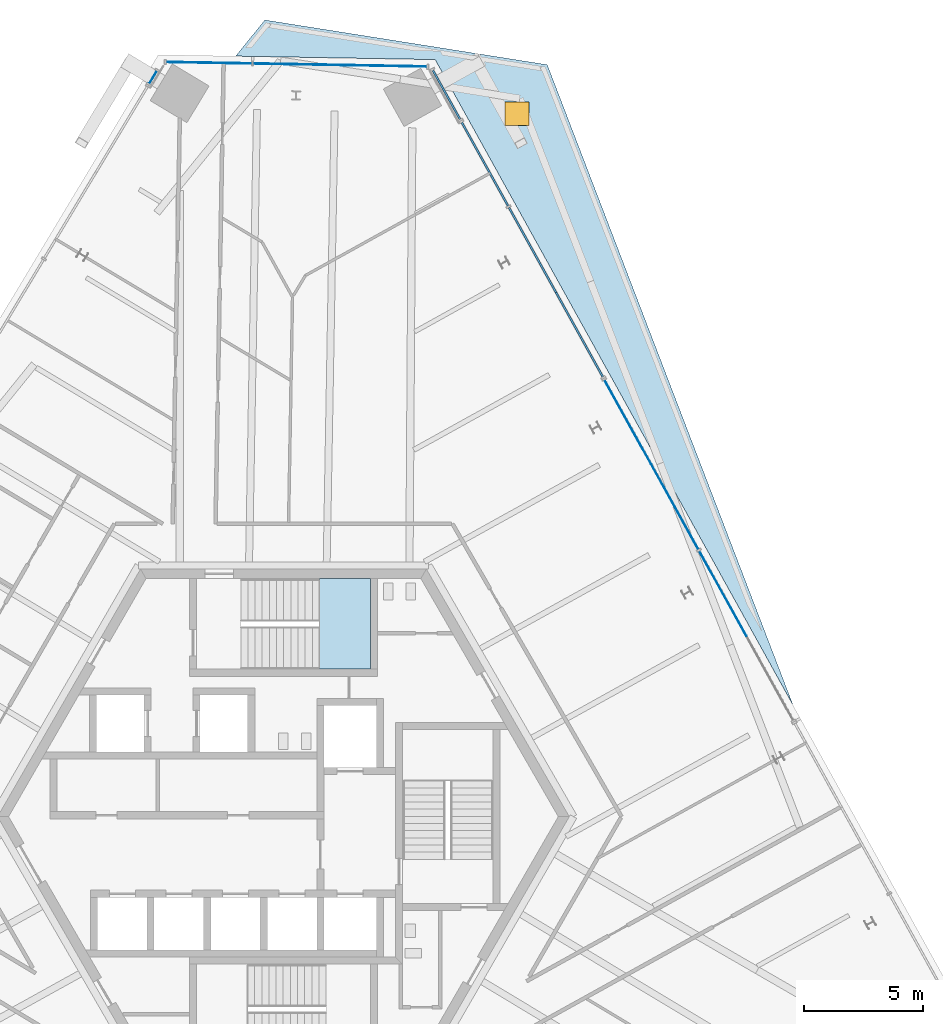
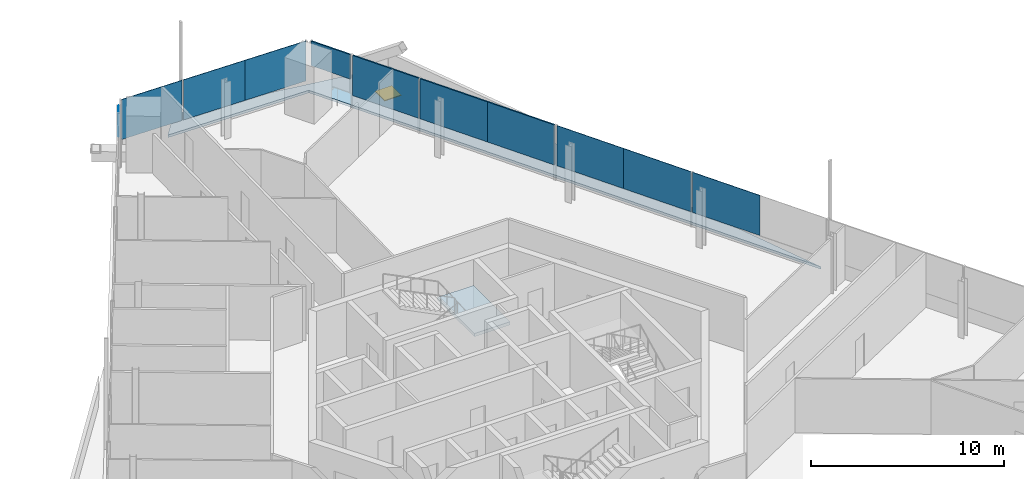
# One storey, part 13 of 22: 11 plates, 2 slabs, 1 door, 1 opening, 6 elements without a shape of their own.
"""IFC4 building model written with IfcOpenShell, lengths in metres."""

from ifc_helpers import new_model, si_unit, direction, frame, origin, origin_2d, place, context, subcontext, project, spatial, polyline, rectangle, outline, extrude, source, transform, mapped, material, layer, layer_set, type_object, element, fill, aggregate, save


model = new_model("IFC4")

# Units and contexts
model_context = context("Model", 3, precision=1e-05, world=origin(), true_north=direction((0.0, 1.0)))
body_context = subcontext(model_context, "Body", "Model", "MODEL_VIEW")
ifc_project = project(units=[si_unit("LENGTHUNIT", "METRE"), si_unit("AREAUNIT", "SQUARE_METRE"), si_unit("VOLUMEUNIT", "CUBIC_METRE"), si_unit("PLANEANGLEUNIT", "RADIAN"), si_unit("MASSUNIT", "GRAM", prefix="KILO")], contexts=[model_context])

# Site, building, storey
site_placement = place(None, origin())
site = spatial("IfcSite", under=ifc_project, at=site_placement, CompositionType="ELEMENT")
building_placement = place(site_placement, origin())
building = spatial("IfcBuilding", under=site, at=building_placement, Name="Triune Harvest Tower", CompositionType="ELEMENT")
storey_placement = place(building_placement, frame((0.0, 0.0, 179.89990234375)))
storey = spatial("IfcBuildingStorey", under=building, at=storey_placement, Name="L46", CompositionType="ELEMENT", Elevation=179.89990234375)

# Curtain wall, plate
ifc_material_1 = material(Name="Aluminium bronze anodised", Category="aluminium")
curtain_wall_type_1 = type_object("IfcCurtainWallType", Name="CW-1 Tower stick curtain wall", PredefinedType="NOTDEFINED", material=ifc_material_1)
curtain_wall_1_placement = place(storey_placement, origin())
curtain_wall_1 = element("IfcCurtainWall", 1, at=curtain_wall_1_placement, inside=storey, type_object=curtain_wall_type_1, Name="CW-1 B5-F3 L46 run 1")
ifc_material_2 = material(Name="Glass", Category="glass")
ifc_layer_1 = layer(ifc_material_2, 0.031982421875)
ifc_layer_set_1 = layer_set([ifc_layer_1], Name="Glass")
plate_type_1 = type_object("IfcPlateType", Name="GL-1 panel 32", PredefinedType="CURTAIN_PANEL", material=ifc_layer_set_1)
plate_1_placement = place(storey_placement, frame((-5.475341796875, 31.034423828125, 1.88525390625), z_axis=(0.0, 0.0, 1.0), x_axis=(-0.515011269496, -0.857183406449, 0.0)))
plate_1 = element("IfcPlate", 2, at=plate_1_placement, type_object=plate_type_1, Name="CW-1 panel B5-F3 1.1", PredefinedType="CURTAIN_PANEL", context=body_context, shape_type="SweptSolid", body=[
    extrude(rectangle(XDim=0.6201171875, YDim=0.031982421875, at=origin_2d()), origin(), (0.0, 0.0, 1.0), 1.554931640625),
])
aggregate(curtain_wall_1, [plate_1])

ifc_material_3 = material(Name="Aluminium bronze anodised", Category="aluminium")
curtain_wall_type_2 = type_object("IfcCurtainWallType", Name="CW-7 Tower stick curtain wall with insulated spandrel infill", PredefinedType="NOTDEFINED", material=ifc_material_3)
curtain_wall_2_placement = place(storey_placement, origin())
curtain_wall_2 = element("IfcCurtainWall", 3, at=curtain_wall_2_placement, inside=storey, type_object=curtain_wall_type_2, Name="CW-7 B5-F1 L46 run 2101")
ifc_material_4 = material(Name="Insulated spandrel panel, bronze aluminium pan", Category="aluminium")
ifc_layer_2 = layer(ifc_material_4, 0.080078125)
ifc_layer_set_2 = layer_set([ifc_layer_2], Name="Insulated spandrel panel, bronze aluminium pan")
plate_type_2 = type_object("IfcPlateType", Name="SP-1 insulated spandrel panel 80", PredefinedType="CURTAIN_PANEL", material=ifc_layer_set_2)
plate_2_placement = place(storey_placement, frame((8.458740234375, 27.39013671875, 0.900146484375), z_axis=(0.0, 0.0, 1.0), x_axis=(-0.484810341563, 0.874619307307, 0.0)))
plate_2 = element("IfcPlate", 4, at=plate_2_placement, type_object=plate_type_2, Name="CW-7 panel B5-F1 2101.3", PredefinedType="CURTAIN_PANEL", context=body_context, shape_type="SweptSolid", body=[
    extrude(rectangle(XDim=4.008544921875, YDim=0.080078125, at=origin_2d()), origin(), (0.0, 0.0, 1.0), 2.5400390625),
])

curtain_wall_3_placement = place(storey_placement, origin())
curtain_wall_3 = element("IfcCurtainWall", 5, at=curtain_wall_3_placement, inside=storey, type_object=curtain_wall_type_2, Name="CW-7 B5-F1 L46 run 201")
plate_3_placement = place(storey_placement, frame((6.84228515625, 30.305908203125, 1.88525390625), z_axis=(0.0, 0.0, 1.0), x_axis=(-0.484813691858, 0.874617450196, 0.0)))
plate_3 = element("IfcPlate", 6, at=plate_3_placement, type_object=plate_type_2, Name="CW-7 panel B5-F1 201.1", PredefinedType="CURTAIN_PANEL", context=body_context, shape_type="SweptSolid", body=[
    extrude(rectangle(XDim=2.359130859375, YDim=0.080078125, at=origin_2d()), origin(), (0.0, 0.0, 1.0), 1.554931640625),
])
aggregate(curtain_wall_3, [plate_3])

# Slab, opening, door
ifc_material_5 = material(Name="Concrete 40 MPa", Category="concrete")
ifc_layer_3 = layer(ifc_material_5, 0.159912109375)
ifc_layer_set_3 = layer_set([ifc_layer_3], Name="Concrete 40 MPa")
slab_type_1 = type_object("IfcSlabType", Name="WR-1 Wedge roof slab 160", PredefinedType="ROOF", material=ifc_layer_set_3)
slab_1_placement = place(storey_placement, frame((0.0, 0.0, -0.159912109375)))
slab_1 = element("IfcSlab", 7, at=slab_1_placement, inside=storey, type_object=slab_type_1, Name="Wedge roof slab L45 2", PredefinedType="ROOF", context=body_context, shape_type="SweptSolid", body=[
    extrude(outline(polyline([(-0.778076171875, 33.4423828125), (-2.006591796875, 31.92529296875), (6.369140625, 31.779052734375), (21.40380859375, 4.656005859375), (11.07421875, 31.565185546875), (-0.778076171875, 33.4423828125)])), origin(), (0.0, 0.0, 1.0), 0.159912109375),
])
opening_placement = place(slab_1_placement, frame((9.810302734375, 29.50732421875, 0.0)))
opening = element("IfcOpeningElement", 8, at=opening_placement, cuts=slab_1, Name="Opening RH-L45.2", PredefinedType="OPENING", context=body_context, shape_type="SweptSolid", body=[
    extrude(rectangle(XDim=1.0, YDim=1.0, at=origin_2d()), origin(), (0.0, 0.0, 1.0), 0.159912109375),
])
ifc_material_6 = material(Name="Aluminium bronze anodised", Category="aluminium")
door_type = type_object("IfcDoorType", Name="RH-1 roof hatch 1000 x 1000", OperationType="SINGLE_SWING_LEFT", PredefinedType="TRAPDOOR", material=ifc_material_6)
door_placement = place(opening_placement, frame((0.0, 0.0, 0.10986328125)))
door = element("IfcDoor", 9, at=door_placement, inside=storey, type_object=door_type, Name="Roof hatch L45.2", OperationType="SINGLE_SWING_LEFT", OverallHeight=1.0, OverallWidth=1.0, PredefinedType="TRAPDOOR", context=body_context, shape_type="SweptSolid", body=[
    extrude(rectangle(XDim=1.0, YDim=1.0, at=origin_2d()), origin(), (0.0, 0.0, 1.0), 0.050048828125),
])
fill(opening, door)

# Stair, slab
ifc_material_7 = material(Name="Concrete 40 MPa", Category="concrete")
stair_type = type_object("IfcStairType", Name="Exit stair 1800 half turn", PredefinedType="HALF_TURN_STAIR", material=ifc_material_7)
stair_placement = place(storey_placement, origin())
stair = element("IfcStair", 10, at=stair_placement, inside=storey, type_object=stair_type, Name="Exit stair north", PredefinedType="HALF_TURN_STAIR")
ifc_material_8 = material(Name="Concrete 40 MPa", Category="concrete")
ifc_layer_4 = layer(ifc_material_8, 0.199951171875)
ifc_layer_set_4 = layer_set([ifc_layer_4], Name="Concrete 40 MPa")
slab_type_2 = type_object("IfcSlabType", Name="Stair landing 200", PredefinedType="LANDING", material=ifc_layer_set_4)
shared_shape_1 = source(origin(), body_context, "Body", "SweptSolid", [
    extrude(outline(polyline([(1.510009765625, 6.18994140625), (3.64990234375, 6.18994140625), (3.64990234375, 9.989990234375), (1.510009765625, 9.989990234375), (1.510009765625, 6.18994140625)])), origin(), (0.0, 0.0, 1.0), 0.199951171875),
])
slab_2_placement = place(storey_placement, frame((0.0, 0.0, 1.60009765625)))
slab_2 = element("IfcSlab", 11, at=slab_2_placement, type_object=slab_type_2, Name="ST-1 landing 2", PredefinedType="LANDING", context=body_context, shape_type="MappedRepresentation", body=[
    mapped(shared_shape_1, transform((0.0, 0.0, 0.0), scale=1.0)),
])
aggregate(stair, [slab_2])

# Plate
shared_shape_2 = source(origin(), body_context, "Body", "SweptSolid", [
    extrude(rectangle(XDim=4.0458984375, YDim=0.080078125, at=origin_2d()), origin(), (0.0, 0.0, 1.0), 2.5400390625),
])
plate_4_placement = place(storey_placement, frame((12.42724609375, 20.230712890625, 0.900146484375), z_axis=(0.0, 0.0, 1.0), x_axis=(-0.484810341563, 0.874619307307, 0.0)))
plate_4 = element("IfcPlate", 12, at=plate_4_placement, type_object=plate_type_2, Name="CW-7 panel B5-F1 2101.1", PredefinedType="CURTAIN_PANEL", context=body_context, shape_type="MappedRepresentation", body=[
    mapped(shared_shape_2, transform((0.0, 0.0, 0.0), scale=1.0)),
])

shared_shape_3 = source(origin(), body_context, "Body", "SweptSolid", [
    extrude(rectangle(XDim=4.08349609375, YDim=0.080078125, at=origin_2d()), origin(), (0.0, 0.0, 1.0), 2.5400390625),
])
plate_5_placement = place(storey_placement, frame((10.45654296875, 23.78564453125, 0.900146484375), z_axis=(0.0, 0.0, 1.0), x_axis=(-0.484810341563, 0.874619307307, 0.0)))
plate_5 = element("IfcPlate", 13, at=plate_5_placement, type_object=plate_type_2, Name="CW-7 panel B5-F1 2101.2", PredefinedType="CURTAIN_PANEL", context=body_context, shape_type="MappedRepresentation", body=[
    mapped(shared_shape_3, transform((0.0, 0.0, 0.0), scale=1.0)),
])

aggregate(curtain_wall_2, [plate_4, plate_5, plate_2])

# Curtain wall, plates
curtain_wall_4_placement = place(storey_placement, origin())
curtain_wall_4 = element("IfcCurtainWall", 14, at=curtain_wall_4_placement, inside=storey, type_object=curtain_wall_type_1, Name="CW-1 B5-F1 L46 run 1101")
shared_shape_4 = source(origin(), body_context, "Body", "SweptSolid", [
    extrude(rectangle(XDim=4.0458984375, YDim=0.031982421875, at=origin_2d()), origin(), (0.0, 0.0, 1.0), 2.5400390625),
])
plate_6_placement = place(storey_placement, frame((14.46142578125, 16.560791015625, 0.900146484375), z_axis=(0.0, 0.0, 1.0), x_axis=(-0.484807769227, 0.874620733173, 0.0)))
plate_6 = element("IfcPlate", 15, at=plate_6_placement, type_object=plate_type_1, Name="CW-1 panel B5-F1 1101.4", PredefinedType="CURTAIN_PANEL", context=body_context, shape_type="MappedRepresentation", body=[
    mapped(shared_shape_4, transform((0.0, 0.0, 0.0), scale=1.0)),
])
shared_shape_5 = source(origin(), body_context, "Body", "SweptSolid", [
    extrude(rectangle(XDim=4.08349609375, YDim=0.031982421875, at=origin_2d()), origin(), (0.0, 0.0, 1.0), 2.5400390625),
])
plate_7_placement = place(storey_placement, frame((18.4482421875, 9.368408203125, 0.900146484375), z_axis=(0.0, 0.0, 1.0), x_axis=(-0.484807769227, 0.874620733173, 0.0)))
plate_7 = element("IfcPlate", 16, at=plate_7_placement, type_object=plate_type_1, Name="CW-1 panel B5-F1 1101.2", PredefinedType="CURTAIN_PANEL", context=body_context, shape_type="MappedRepresentation", body=[
    mapped(shared_shape_5, transform((0.0, 0.0, 0.0), scale=1.0)),
])
plate_8_placement = place(storey_placement, frame((16.43212890625, 13.005615234375, 0.900146484375), z_axis=(0.0, 0.0, 1.0), x_axis=(-0.484807769227, 0.874620733173, 0.0)))
plate_8 = element("IfcPlate", 17, at=plate_8_placement, type_object=plate_type_1, Name="CW-1 panel B5-F1 1101.3", PredefinedType="CURTAIN_PANEL", context=body_context, shape_type="MappedRepresentation", body=[
    mapped(shared_shape_5, transform((0.0, 0.0, 0.0), scale=1.0)),
])
aggregate(curtain_wall_4, [plate_7, plate_8, plate_6])

curtain_wall_5_placement = place(storey_placement, origin())
curtain_wall_5 = element("IfcCurtainWall", 18, at=curtain_wall_5_placement, inside=storey, type_object=curtain_wall_type_1, Name="CW-1 B5-F2 L46 run 1")
shared_shape_6 = source(origin(), body_context, "Body", "SweptSolid", [
    extrude(rectangle(XDim=3.625, YDim=0.031982421875, at=origin_2d()), origin(), (0.0, 0.0, 1.0), 2.5400390625),
])
plate_9_placement = place(storey_placement, frame((4.213134765625, 31.516357421875, 0.900146484375), z_axis=(0.0, 0.0, 1.0), x_axis=(-0.999847801404, 0.017446318452, 0.0)))
plate_9 = element("IfcPlate", 19, at=plate_9_placement, type_object=plate_type_1, Name="CW-1 panel B5-F2 1.1", PredefinedType="CURTAIN_PANEL", context=body_context, shape_type="MappedRepresentation", body=[
    mapped(shared_shape_6, transform((0.0, 0.0, 0.0), scale=1.0)),
])
shared_shape_7 = source(origin(), body_context, "Body", "SweptSolid", [
    extrude(rectangle(XDim=3.66259765625, YDim=0.031982421875, at=origin_2d()), origin(), (0.0, 0.0, 1.0), 2.5400390625),
])
plate_10_placement = place(storey_placement, frame((0.570068359375, 31.580078125, 0.900146484375), z_axis=(0.0, 0.0, 1.0), x_axis=(-0.999847801404, 0.017446318452, 0.0)))
plate_10 = element("IfcPlate", 20, at=plate_10_placement, type_object=plate_type_1, Name="CW-1 panel B5-F2 1.2", PredefinedType="CURTAIN_PANEL", context=body_context, shape_type="MappedRepresentation", body=[
    mapped(shared_shape_7, transform((0.0, 0.0, 0.0), scale=1.0)),
])
shared_shape_8 = source(origin(), body_context, "Body", "SweptSolid", [
    extrude(rectangle(XDim=3.587646484375, YDim=0.031982421875, at=origin_2d()), origin(), (0.0, 0.0, 1.0), 2.5400390625),
])
plate_11_placement = place(storey_placement, frame((-3.129638671875, 31.64453125, 0.900146484375), z_axis=(0.0, 0.0, 1.0), x_axis=(-0.999847801404, 0.017446318452, 0.0)))
plate_11 = element("IfcPlate", 21, at=plate_11_placement, type_object=plate_type_1, Name="CW-1 panel B5-F2 1.3", PredefinedType="CURTAIN_PANEL", context=body_context, shape_type="MappedRepresentation", body=[
    mapped(shared_shape_8, transform((0.0, 0.0, 0.0), scale=1.0)),
])
aggregate(curtain_wall_5, [plate_9, plate_10, plate_11])

save(model, "model.ifc")
